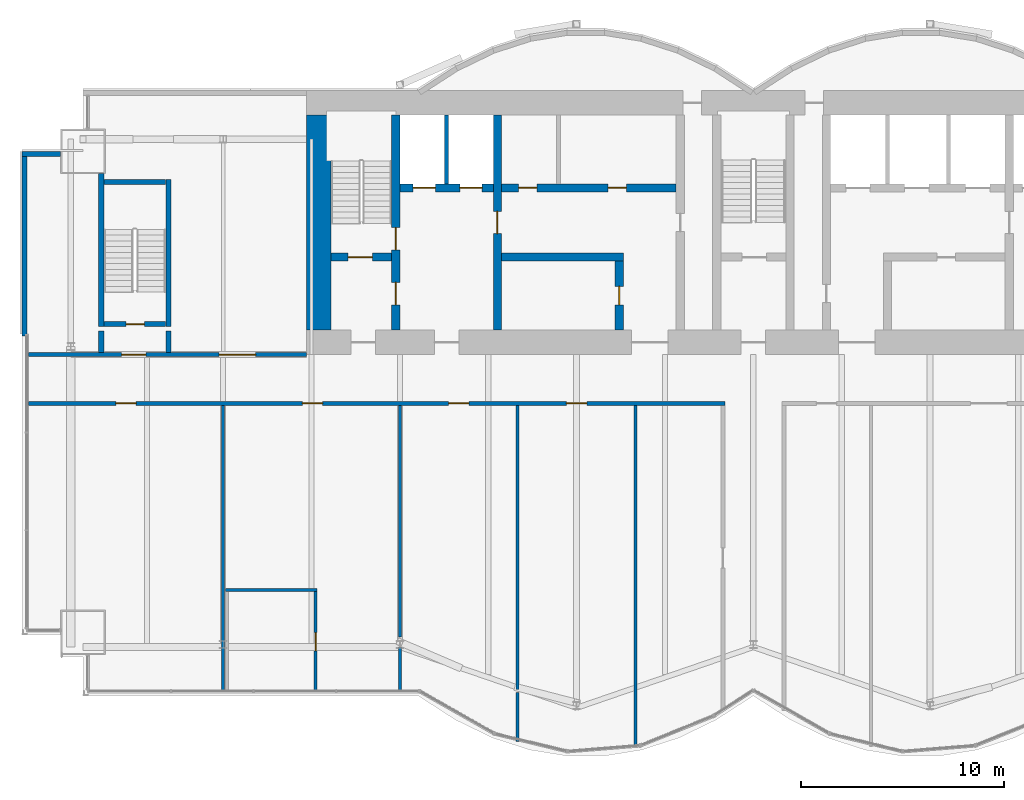
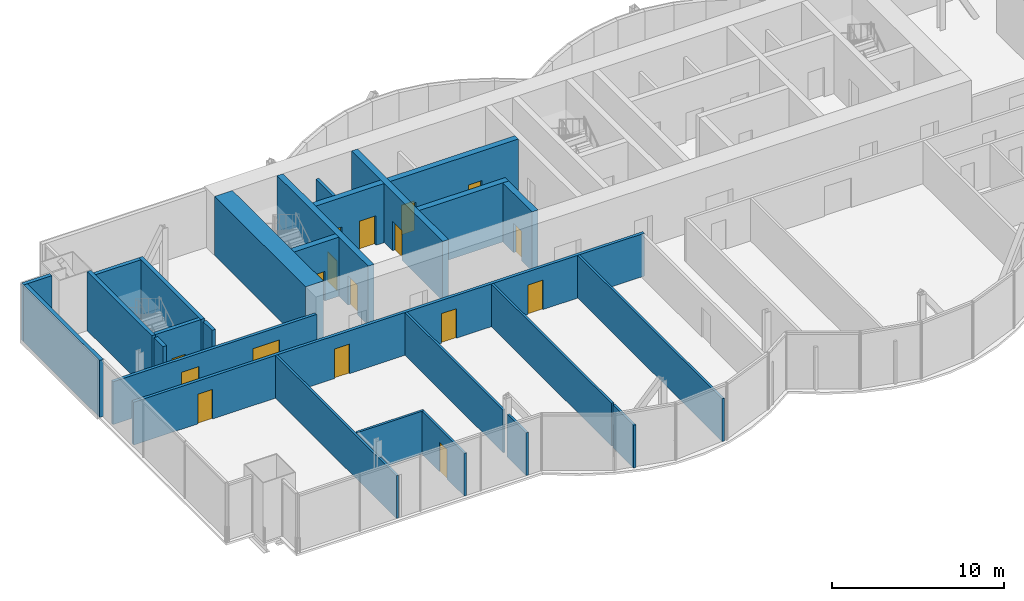
# One storey, part 14 of 20: 26 walls, 17 doors, 17 openings.
"""IFC4 building model written with IfcOpenShell, lengths in metres."""

from ifc_helpers import new_model, si_unit, direction, frame, frame_2d, origin, place, context, subcontext, project, spatial, rectangle, extrude, material, layer, layer_set, layer_usage, type_object, element, fill, save


model = new_model("IFC4")

# Units and contexts
model_context = context("Model", 3, precision=1e-05, world=origin(), true_north=direction((0.0, 1.0)))
body_context = subcontext(model_context, "Body", "Model", "MODEL_VIEW")
ifc_project = project(units=[si_unit("LENGTHUNIT", "METRE"), si_unit("AREAUNIT", "SQUARE_METRE"), si_unit("VOLUMEUNIT", "CUBIC_METRE"), si_unit("PLANEANGLEUNIT", "RADIAN"), si_unit("MASSUNIT", "GRAM", prefix="KILO")], contexts=[model_context])

# Site, building, storey
site_placement = place(None, origin())
site = spatial("IfcSite", under=ifc_project, at=site_placement, CompositionType="ELEMENT")
building_placement = place(site_placement, origin())
building = spatial("IfcBuilding", under=site, at=building_placement, Name="Bicima Exchange Tower", CompositionType="ELEMENT")
storey_placement = place(building_placement, frame((0.0, 0.0, 249.800048828125)))
storey = spatial("IfcBuildingStorey", under=building, at=storey_placement, Name="L56", CompositionType="ELEMENT", Elevation=249.800048828125)

# Wall
ifc_material_1 = material(Name="Gypsum board partition")
ifc_layer_1 = layer(ifc_material_1, 0.199951171875)
ifc_layer_set_1 = layer_set([ifc_layer_1], Name="Gypsum board partition")
wall_type_1 = type_object("IfcWallType", Name="Fire-rated gypsum partition 200 EI120", PredefinedType="PARTITIONING", material=ifc_layer_set_1)
wall_1_placement = place(storey_placement, frame((-15.10009765625, -4.60009765625, 0.0), z_axis=(0.0, 0.0, 1.0), x_axis=(0.0, 1.0, 0.0)))
element("IfcWall", 1, at=wall_1_placement, inside=storey, type_object=wall_type_1, Name="partition wall 9", PredefinedType="PARTITIONING", context=body_context, shape_type="SweptSolid", body=[
    extrude(rectangle(XDim=3.400146484375, YDim=0.199951171875, at=frame_2d((1.7001953125, 0.0))), origin(), (0.0, 0.0, 1.0), 3.039306640625),
])

# Wall, openings, doors
ifc_layer_2 = layer(ifc_material_1, 0.199951171875)
ifc_layer_set_2 = layer_set([ifc_layer_2], Name="Gypsum board partition")
wall_type_2 = type_object("IfcWallType", Name="Fire-rated gypsum partition 200 EI60", PredefinedType="PARTITIONING", material=ifc_layer_set_2)
wall_2_placement = place(storey_placement, frame((-35.679931640625, -15.39990234375, 0.0), z_axis=(0.0, 0.0, 1.0), x_axis=(1.0, 0.0, 0.0)))
wall_2 = element("IfcWall", 2, at=wall_2_placement, inside=storey, type_object=wall_type_2, Name="partition wall 4", PredefinedType="PARTITIONING", context=body_context, shape_type="SweptSolid", body=[
    extrude(rectangle(XDim=34.280029296875, YDim=0.199951171875, at=frame_2d((17.14013671875, 0.0))), origin(), (0.0, 0.0, 1.0), 3.039306640625),
])
opening_1_placement = place(wall_2_placement, frame((4.300048828125, 0.0, 0.0)))
opening_1 = element("IfcOpeningElement", 3, at=opening_1_placement, cuts=wall_2, Name="Opening L56-007", PredefinedType="OPENING", context=body_context, shape_type="SweptSolid", body=[
    extrude(rectangle(XDim=1.0, YDim=2.10009765625, at=frame_2d((0.5, 1.050048828125))), frame((0.0, 0.11181640625, 0.0), z_axis=(0.0, -1.0, 0.0), x_axis=(1.0, 0.0, 0.0)), (0.0, 0.0, 1.0), 0.223876953125),
])
opening_2_placement = place(wall_2_placement, frame((13.47998046875, 0.0, 0.0)))
opening_2 = element("IfcOpeningElement", 4, at=opening_2_placement, cuts=wall_2, Name="Opening L56-008", PredefinedType="OPENING", context=body_context, shape_type="SweptSolid", body=[
    extrude(rectangle(XDim=1.0, YDim=2.10009765625, at=frame_2d((0.5, 1.050048828125))), frame((0.0, 0.11181640625, 0.0), z_axis=(0.0, -1.0, 0.0), x_axis=(1.0, 0.0, 0.0)), (0.0, 0.0, 1.0), 0.223876953125),
])
opening_3_placement = place(wall_2_placement, frame((20.679931640625, 0.0, 0.0)))
opening_3 = element("IfcOpeningElement", 5, at=opening_3_placement, cuts=wall_2, Name="Opening L56-009", PredefinedType="OPENING", context=body_context, shape_type="SweptSolid", body=[
    extrude(rectangle(XDim=1.0, YDim=2.10009765625, at=frame_2d((0.5, 1.050048828125))), frame((0.0, 0.11181640625, 0.0), z_axis=(0.0, -1.0, 0.0), x_axis=(1.0, 0.0, 0.0)), (0.0, 0.0, 1.0), 0.223876953125),
])
opening_4_placement = place(wall_2_placement, frame((26.47998046875, 0.0, 0.0)))
opening_4 = element("IfcOpeningElement", 6, at=opening_4_placement, cuts=wall_2, Name="Opening L56-010", PredefinedType="OPENING", context=body_context, shape_type="SweptSolid", body=[
    extrude(rectangle(XDim=1.0, YDim=2.10009765625, at=frame_2d((0.5, 1.050048828125))), frame((0.0, 0.11181640625, 0.0), z_axis=(0.0, -1.0, 0.0), x_axis=(1.0, 0.0, 0.0)), (0.0, 0.0, 1.0), 0.223876953125),
])
ifc_material_2 = material(Name="Steel fire door leaf", Category="steel")
door_type_1 = type_object("IfcDoorType", Name="Door 1000 swing FD30S", OperationType="SINGLE_SWING_LEFT", PredefinedType="DOOR", material=ifc_material_2)
door_1_placement = place(opening_1_placement, frame((1.0, 0.0, 0.0), z_axis=(0.0, 0.0, 1.0), x_axis=(-1.0, 0.0, 0.0)))
door_1 = element("IfcDoor", 7, at=door_1_placement, inside=storey, type_object=door_type_1, Name="Door", OperationType="SINGLE_SWING_LEFT", OverallHeight=2.10009765625, OverallWidth=1.0, PredefinedType="DOOR", context=body_context, shape_type="SweptSolid", body=[
    extrude(rectangle(XDim=1.0, YDim=2.10009765625, at=frame_2d((0.5, 1.050048828125))), frame((0.0, 0.02490234375, 0.0), z_axis=(0.0, -1.0, 0.0), x_axis=(1.0, 0.0, 0.0)), (0.0, 0.0, 1.0), 0.050048828125),
])
fill(opening_1, door_1)
door_2_placement = place(opening_2_placement, frame((1.0, 0.0, 0.0), z_axis=(0.0, 0.0, 1.0), x_axis=(-1.0, 0.0, 0.0)))
door_2 = element("IfcDoor", 8, at=door_2_placement, inside=storey, type_object=door_type_1, Name="Door", OperationType="SINGLE_SWING_RIGHT", OverallHeight=2.10009765625, OverallWidth=1.0, PredefinedType="DOOR", context=body_context, shape_type="SweptSolid", body=[
    extrude(rectangle(XDim=1.0, YDim=2.10009765625, at=frame_2d((0.5, 1.050048828125))), frame((0.0, 0.02490234375, 0.0), z_axis=(0.0, -1.0, 0.0), x_axis=(1.0, 0.0, 0.0)), (0.0, 0.0, 1.0), 0.050048828125),
])
fill(opening_2, door_2)
door_3_placement = place(opening_3_placement, frame((1.0, 0.0, 0.0), z_axis=(0.0, 0.0, 1.0), x_axis=(-1.0, 0.0, 0.0)))
door_3 = element("IfcDoor", 9, at=door_3_placement, inside=storey, type_object=door_type_1, Name="Door", OperationType="SINGLE_SWING_RIGHT", OverallHeight=2.10009765625, OverallWidth=1.0, PredefinedType="DOOR", context=body_context, shape_type="SweptSolid", body=[
    extrude(rectangle(XDim=1.0, YDim=2.10009765625, at=frame_2d((0.5, 1.050048828125))), frame((0.0, 0.02490234375, 0.0), z_axis=(0.0, -1.0, 0.0), x_axis=(1.0, 0.0, 0.0)), (0.0, 0.0, 1.0), 0.050048828125),
])
fill(opening_3, door_3)
door_4_placement = place(opening_4_placement, frame((1.0, 0.0, 0.0), z_axis=(0.0, 0.0, 1.0), x_axis=(-1.0, 0.0, 0.0)))
door_4 = element("IfcDoor", 10, at=door_4_placement, inside=storey, type_object=door_type_1, Name="Door", OperationType="SINGLE_SWING_LEFT", OverallHeight=2.10009765625, OverallWidth=1.0, PredefinedType="DOOR", context=body_context, shape_type="SweptSolid", body=[
    extrude(rectangle(XDim=1.0, YDim=2.10009765625, at=frame_2d((0.5, 1.050048828125))), frame((0.0, 0.02490234375, 0.0), z_axis=(0.0, -1.0, 0.0), x_axis=(1.0, 0.0, 0.0)), (0.0, 0.0, 1.0), 0.050048828125),
])
fill(opening_4, door_4)

wall_3_placement = place(storey_placement, frame((-35.679931640625, -13.0, 0.0), z_axis=(0.0, 0.0, 1.0), x_axis=(1.0, 0.0, 0.0)))
wall_3 = element("IfcWall", 11, at=wall_3_placement, inside=storey, type_object=wall_type_2, Name="partition wall 6", PredefinedType="PARTITIONING", context=body_context, shape_type="SweptSolid", body=[
    extrude(rectangle(XDim=13.679931640625, YDim=0.199951171875, at=frame_2d((6.83984375, 0.0))), origin(), (0.0, 0.0, 1.0), 3.039306640625),
])
opening_5_placement = place(wall_3_placement, frame((4.580078125, 0.0, 0.0)))
opening_5 = element("IfcOpeningElement", 12, at=opening_5_placement, cuts=wall_3, Name="Opening L56-001", PredefinedType="OPENING", context=body_context, shape_type="SweptSolid", body=[
    extrude(rectangle(XDim=1.199951171875, YDim=2.10009765625, at=frame_2d((0.60009765625, 1.050048828125))), frame((0.0, 0.11181640625, 0.0), z_axis=(0.0, -1.0, 0.0), x_axis=(1.0, 0.0, 0.0)), (0.0, 0.0, 1.0), 0.223876953125),
])
opening_6_placement = place(wall_3_placement, frame((9.3798828125, 0.0, 0.0)))
opening_6 = element("IfcOpeningElement", 13, at=opening_6_placement, cuts=wall_3, Name="Opening L56-005", PredefinedType="OPENING", context=body_context, shape_type="SweptSolid", body=[
    extrude(rectangle(XDim=1.800048828125, YDim=2.10009765625, at=frame_2d((0.89990234375, 1.050048828125))), frame((0.0, 0.11181640625, 0.0), z_axis=(0.0, -1.0, 0.0), x_axis=(1.0, 0.0, 0.0)), (0.0, 0.0, 1.0), 0.223876953125),
])
door_type_2 = type_object("IfcDoorType", Name="Door 1200 swing FD30S", OperationType="SINGLE_SWING_LEFT", PredefinedType="DOOR", material=ifc_material_2)
door_5_placement = place(opening_5_placement, origin())
door_5 = element("IfcDoor", 14, at=door_5_placement, inside=storey, type_object=door_type_2, Name="Door", OperationType="SINGLE_SWING_LEFT", OverallHeight=2.10009765625, OverallWidth=1.199951171875, PredefinedType="DOOR", context=body_context, shape_type="SweptSolid", body=[
    extrude(rectangle(XDim=1.199951171875, YDim=2.10009765625, at=frame_2d((0.60009765625, 1.050048828125))), frame((0.0, 0.02490234375, 0.0), z_axis=(0.0, -1.0, 0.0), x_axis=(1.0, 0.0, 0.0)), (0.0, 0.0, 1.0), 0.050048828125),
])
fill(opening_5, door_5)
door_type_3 = type_object("IfcDoorType", Name="Door 1800 double swing FD30S", OperationType="DOUBLE_DOOR_SINGLE_SWING", PredefinedType="DOOR", material=ifc_material_2)
door_6_placement = place(opening_6_placement, origin())
door_6 = element("IfcDoor", 15, at=door_6_placement, inside=storey, type_object=door_type_3, Name="Door", OperationType="SINGLE_SWING_LEFT", OverallHeight=2.10009765625, OverallWidth=1.800048828125, PredefinedType="DOOR", context=body_context, shape_type="SweptSolid", body=[
    extrude(rectangle(XDim=1.800048828125, YDim=2.10009765625, at=frame_2d((0.89990234375, 1.050048828125))), frame((0.0, 0.02490234375, 0.0), z_axis=(0.0, -1.0, 0.0), x_axis=(1.0, 0.0, 0.0)), (0.0, 0.0, 1.0), 0.050048828125),
])
fill(opening_6, door_6)

# Walls
ifc_layer_3 = layer(ifc_material_1, 0.14990234375)
ifc_layer_set_3 = layer_set([ifc_layer_3], Name="Gypsum board partition")
wall_type_3 = type_object("IfcWallType", Name="Gypsum partition 150", PredefinedType="PARTITIONING", material=ifc_layer_set_3)
wall_4_placement = place(storey_placement, frame((-25.97509765625, -24.590087890625, 0.0), z_axis=(0.0, 0.0, 1.0), x_axis=(1.0, 0.0, 0.0)))
element("IfcWall", 16, at=wall_4_placement, inside=storey, type_object=wall_type_3, Name="partition wall 1", PredefinedType="PARTITIONING", context=body_context, shape_type="SweptSolid", body=[
    extrude(rectangle(XDim=4.5, YDim=0.14990234375, at=frame_2d((2.25, 0.0))), origin(), (0.0, 0.0, 1.0), 3.039306640625),
])
wall_5_placement = place(storey_placement, frame((-26.10009765625, -29.590087890625, 0.0), z_axis=(0.0, 0.0, 1.0), x_axis=(0.0, 1.0, 0.0)))
element("IfcWall", 17, at=wall_5_placement, inside=storey, type_object=wall_type_3, Name="partition wall 14", PredefinedType="PARTITIONING", context=body_context, shape_type="SweptSolid", body=[
    extrude(rectangle(XDim=14.090087890625, YDim=0.14990234375, at=frame_2d((7.044921875, 0.0))), origin(), (0.0, 0.0, 1.0), 3.039306640625),
])

# Wall, opening, door
wall_6_placement = place(storey_placement, frame((-21.550048828125, -29.590087890625, 0.0), z_axis=(0.0, 0.0, 1.0), x_axis=(0.0, 1.0, 0.0)))
wall_6 = element("IfcWall", 18, at=wall_6_placement, inside=storey, type_object=wall_type_3, Name="partition wall 16", PredefinedType="PARTITIONING", context=body_context, shape_type="SweptSolid", body=[
    extrude(rectangle(XDim=4.925048828125, YDim=0.14990234375, at=frame_2d((2.46240234375, 0.0))), origin(), (0.0, 0.0, 1.0), 3.039306640625),
])
opening_7_placement = place(wall_6_placement, frame((2.0, 0.0, 0.0)))
opening_7 = element("IfcOpeningElement", 19, at=opening_7_placement, cuts=wall_6, Name="Opening L56-019", PredefinedType="OPENING", context=body_context, shape_type="SweptSolid", body=[
    extrude(rectangle(XDim=0.89990234375, YDim=2.10009765625, at=frame_2d((0.449951171875, 1.050048828125))), frame((0.0, 0.0869140625, 0.0), z_axis=(0.0, -1.0, 0.0), x_axis=(1.0, 0.0, 0.0)), (0.0, 0.0, 1.0), 0.173828125),
])
ifc_material_3 = material(Name="Timber door leaf", Category="wood")
door_type_4 = type_object("IfcDoorType", Name="Door 900 swing", OperationType="SINGLE_SWING_LEFT", PredefinedType="DOOR", material=ifc_material_3)
door_7_placement = place(opening_7_placement, origin())
door_7 = element("IfcDoor", 20, at=door_7_placement, inside=storey, type_object=door_type_4, Name="Door", OperationType="SINGLE_SWING_LEFT", OverallHeight=2.10009765625, OverallWidth=0.89990234375, PredefinedType="DOOR", context=body_context, shape_type="SweptSolid", body=[
    extrude(rectangle(XDim=0.89990234375, YDim=2.10009765625, at=frame_2d((0.449951171875, 1.050048828125))), frame((0.0, 0.02490234375, 0.0), z_axis=(0.0, -1.0, 0.0), x_axis=(1.0, 0.0, 0.0)), (0.0, 0.0, 1.0), 0.050048828125),
])
fill(opening_7, door_7)

# Walls
wall_7_placement = place(storey_placement, frame((-17.39990234375, -29.590087890625, 0.0), z_axis=(0.0, 0.0, 1.0), x_axis=(0.0, 1.0, 0.0)))
element("IfcWall", 21, at=wall_7_placement, inside=storey, type_object=wall_type_3, Name="partition wall 17", PredefinedType="PARTITIONING", context=body_context, shape_type="SweptSolid", body=[
    extrude(rectangle(XDim=2.188232421875, YDim=0.14990234375, at=frame_2d((1.09423828125, 0.0))), origin(), (0.0, 0.0, 1.0), 3.039306640625),
])
wall_8_placement = place(storey_placement, frame((-17.39990234375, -26.91015625, 0.0), z_axis=(0.0, 0.0, 1.0), x_axis=(0.0, 1.0, 0.0)))
element("IfcWall", 22, at=wall_8_placement, inside=storey, type_object=wall_type_3, Name="partition wall 18", PredefinedType="PARTITIONING", context=body_context, shape_type="SweptSolid", body=[
    extrude(rectangle(XDim=11.41015625, YDim=0.14990234375, at=frame_2d((5.705078125, 0.0))), origin(), (0.0, 0.0, 1.0), 3.039306640625),
])
wall_9_placement = place(storey_placement, frame((-11.60009765625, -32.050048828125, 0.0), z_axis=(0.0, 0.0, 1.0), x_axis=(0.0, 1.0, 0.0)))
element("IfcWall", 23, at=wall_9_placement, inside=storey, type_object=wall_type_3, Name="partition wall 19", PredefinedType="PARTITIONING", context=body_context, shape_type="SweptSolid", body=[
    extrude(rectangle(XDim=2.420166015625, YDim=0.14990234375, at=frame_2d((1.2099609375, 0.0))), origin(), (0.0, 0.0, 1.0), 3.039306640625),
])
wall_10_placement = place(storey_placement, frame((-11.60009765625, -29.487060546875, 0.0), z_axis=(0.0, 0.0, 1.0), x_axis=(0.0, 1.0, 0.0)))
element("IfcWall", 24, at=wall_10_placement, inside=storey, type_object=wall_type_3, Name="partition wall 20", PredefinedType="PARTITIONING", context=body_context, shape_type="SweptSolid", body=[
    extrude(rectangle(XDim=13.987060546875, YDim=0.14990234375, at=frame_2d((6.99365234375, 0.0))), origin(), (0.0, 0.0, 1.0), 3.039306640625),
])
wall_11_placement = place(storey_placement, frame((-5.800048828125, -32.300048828125, 0.0), z_axis=(0.0, 0.0, 1.0), x_axis=(0.0, 1.0, 0.0)))
element("IfcWall", 25, at=wall_11_placement, inside=storey, type_object=wall_type_3, Name="partition wall 21", PredefinedType="PARTITIONING", context=body_context, shape_type="SweptSolid", body=[
    extrude(rectangle(XDim=16.800048828125, YDim=0.14990234375, at=frame_2d((8.39990234375, 0.0))), origin(), (0.0, 0.0, 1.0), 3.039306640625),
])
ifc_material_4 = material(Name="Concrete C40/50", Category="concrete")
ifc_layer_4 = layer(ifc_material_4, 1.199951171875)
ifc_layer_set_4 = layer_set([ifc_layer_4], Name="Concrete C40/50")
wall_type_4 = type_object("IfcWallType", Name="RC core wall 1200 C40/50", PredefinedType="SHEAR", material=ifc_layer_set_4)
wall_12_placement = place(storey_placement, frame((-21.39990234375, -11.800048828125, 0.0), z_axis=(0.0, 0.0, 1.0), x_axis=(0.0, 1.0, 0.0)))
element("IfcWall", 26, at=wall_12_placement, inside=storey, type_object=wall_type_4, Name="Core wall west", PredefinedType="SHEAR", context=body_context, shape_type="SweptSolid", body=[
    extrude(rectangle(XDim=10.60009765625, YDim=1.199951171875, at=frame_2d((5.300048828125, 0.0))), origin(), (0.0, 0.0, 1.0), 4.199951171875),
])
ifc_material_5 = material(Name="Concrete C50/60", Category="concrete")
ifc_layer_5 = layer(ifc_material_5, 0.25)
ifc_layer_set_5 = layer_set([ifc_layer_5], Name="Concrete C50/60")
wall_type_5 = type_object("IfcWallType", Name="RC core wall 250 C50/60", PredefinedType="SHEAR", material=ifc_layer_set_5)
for number, where, z_axis, x_axis, name in (
    (27, (-32.10009765625, -12.89990234375, 0.0), (0.0, 0.0, 1.0), (0.0, 1.0, 0.0), "stair wall 12"),
    (28, (-28.800048828125, -12.89990234375, 0.0), (0.0, 0.0, 1.0), (0.0, 1.0, 0.0), "stair wall 13"),
):
    element("IfcWall", number, at=place(storey_placement, frame(where, z_axis=z_axis, x_axis=x_axis)), inside=storey, type_object=wall_type_5, Name=name, PredefinedType="SHEAR", context=body_context, shape_type="SweptSolid", body=[
        extrude(rectangle(XDim=1.0498046875, YDim=0.25, at=frame_2d((0.52490234375, 0.0))), origin(), (0.0, 0.0, 1.0), 4.199951171875),
    ])
ifc_layer_6 = layer(ifc_material_4, 0.39990234375)
ifc_layer_set_6 = layer_set([ifc_layer_6], Name="Concrete C40/50")
wall_type_6 = type_object("IfcWallType", Name="RC core wall 400 C40/50", PredefinedType="SHEAR", material=ifc_layer_set_6)
wall_13_placement = place(storey_placement, frame((-12.39990234375, -8.199951171875, 0.0), z_axis=(0.0, 0.0, 1.0), x_axis=(1.0, 0.0, 0.0)))
element("IfcWall", 29, at=wall_13_placement, inside=storey, type_object=wall_type_6, Name="shear wall 2", PredefinedType="SHEAR", context=body_context, shape_type="SweptSolid", body=[
    extrude(rectangle(XDim=6.0, YDim=0.39990234375, at=frame_2d((3.0, 0.0))), origin(), (0.0, 0.0, 1.0), 4.199951171875),
])

# Wall, openings, doors
wall_14_placement = place(storey_placement, frame((-17.39990234375, -4.800048828125, 0.0), z_axis=(0.0, 0.0, 1.0), x_axis=(1.0, 0.0, 0.0)))
wall_14 = element("IfcWall", 30, at=wall_14_placement, inside=storey, type_object=wall_type_6, Name="shear wall 6", PredefinedType="SHEAR", context=body_context, shape_type="SweptSolid", body=[
    extrude(rectangle(XDim=13.599853515625, YDim=0.39990234375, at=frame_2d((6.7998046875, 0.0))), origin(), (0.0, 0.0, 1.0), 4.199951171875),
])
opening_8_placement = place(wall_14_placement, frame((0.64990234375, 0.0, 0.0)))
opening_8 = element("IfcOpeningElement", 31, at=opening_8_placement, cuts=wall_14, Name="Opening LD-FF1-L56", PredefinedType="OPENING", context=body_context, shape_type="SweptSolid", body=[
    extrude(rectangle(XDim=1.10009765625, YDim=2.10009765625, at=frame_2d((0.550048828125, 1.050048828125))), frame((0.0, 0.2119140625, 0.0), z_axis=(0.0, -1.0, 0.0), x_axis=(1.0, 0.0, 0.0)), (0.0, 0.0, 1.0), 0.423828125),
])
opening_9_placement = place(wall_14_placement, frame((2.949951171875, 0.0, 0.0)))
opening_9 = element("IfcOpeningElement", 32, at=opening_9_placement, cuts=wall_14, Name="Opening LD-FF3-L56", PredefinedType="OPENING", context=body_context, shape_type="SweptSolid", body=[
    extrude(rectangle(XDim=1.10009765625, YDim=2.10009765625, at=frame_2d((0.550048828125, 1.050048828125))), frame((0.0, 0.2119140625, 0.0), z_axis=(0.0, -1.0, 0.0), x_axis=(1.0, 0.0, 0.0)), (0.0, 0.0, 1.0), 0.423828125),
])
opening_10_placement = place(wall_14_placement, frame((5.85009765625, 0.0, 0.0)))
opening_10 = element("IfcOpeningElement", 33, at=opening_10_placement, cuts=wall_14, Name="Opening L56-C12", PredefinedType="OPENING", context=body_context, shape_type="SweptSolid", body=[
    extrude(rectangle(XDim=0.89990234375, YDim=2.10009765625, at=frame_2d((0.449951171875, 1.050048828125))), frame((0.0, 0.2119140625, 0.0), z_axis=(0.0, -1.0, 0.0), x_axis=(1.0, 0.0, 0.0)), (0.0, 0.0, 1.0), 0.423828125),
])
opening_11_placement = place(wall_14_placement, frame((10.25, 0.0, 0.0)))
opening_11 = element("IfcOpeningElement", 34, at=opening_11_placement, cuts=wall_14, Name="Opening L56-C13", PredefinedType="OPENING", context=body_context, shape_type="SweptSolid", body=[
    extrude(rectangle(XDim=0.89990234375, YDim=2.10009765625, at=frame_2d((0.449951171875, 1.050048828125))), frame((0.0, 0.2119140625, 0.0), z_axis=(0.0, -1.0, 0.0), x_axis=(1.0, 0.0, 0.0)), (0.0, 0.0, 1.0), 0.423828125),
])
door_type_5 = type_object("IfcDoorType", Name="Door 900 swing FD30S", OperationType="SINGLE_SWING_LEFT", PredefinedType="DOOR", material=ifc_material_2)
door_8_placement = place(opening_10_placement, origin())
door_8 = element("IfcDoor", 35, at=door_8_placement, inside=storey, type_object=door_type_5, Name="Core door", OperationType="SINGLE_SWING_RIGHT", OverallHeight=2.10009765625, OverallWidth=0.89990234375, PredefinedType="DOOR", context=body_context, shape_type="SweptSolid", body=[
    extrude(rectangle(XDim=0.89990234375, YDim=2.10009765625, at=frame_2d((0.449951171875, 1.050048828125))), frame((0.0, 0.02490234375, 0.0), z_axis=(0.0, -1.0, 0.0), x_axis=(1.0, 0.0, 0.0)), (0.0, 0.0, 1.0), 0.050048828125),
])
fill(opening_10, door_8)
door_9_placement = place(opening_11_placement, origin())
door_9 = element("IfcDoor", 36, at=door_9_placement, inside=storey, type_object=door_type_5, Name="Core door", OperationType="SINGLE_SWING_LEFT", OverallHeight=2.10009765625, OverallWidth=0.89990234375, PredefinedType="DOOR", context=body_context, shape_type="SweptSolid", body=[
    extrude(rectangle(XDim=0.89990234375, YDim=2.10009765625, at=frame_2d((0.449951171875, 1.050048828125))), frame((0.0, 0.02490234375, 0.0), z_axis=(0.0, -1.0, 0.0), x_axis=(1.0, 0.0, 0.0)), (0.0, 0.0, 1.0), 0.050048828125),
])
fill(opening_11, door_9)
ifc_material_6 = material(Name="Stainless steel", Category="steel")
door_type_6 = type_object("IfcDoorType", Name="Lift landing door 1100 sliding", OperationType="DOUBLE_DOOR_SLIDING", PredefinedType="DOOR", material=ifc_material_6)
door_10_placement = place(opening_8_placement, origin())
door_10 = element("IfcDoor", 37, at=door_10_placement, inside=storey, type_object=door_type_6, Name="Lift landing door FF1", OperationType="DOUBLE_DOOR_SLIDING", OverallHeight=2.10009765625, OverallWidth=1.10009765625, PredefinedType="DOOR", context=body_context, shape_type="SweptSolid", body=[
    extrude(rectangle(XDim=1.10009765625, YDim=2.10009765625, at=frame_2d((0.550048828125, 1.050048828125))), frame((0.0, 0.02490234375, 0.0), z_axis=(0.0, -1.0, 0.0), x_axis=(1.0, 0.0, 0.0)), (0.0, 0.0, 1.0), 0.050048828125),
])
fill(opening_8, door_10)
door_11_placement = place(opening_9_placement, origin())
door_11 = element("IfcDoor", 38, at=door_11_placement, inside=storey, type_object=door_type_6, Name="Lift landing door FF3", OperationType="DOUBLE_DOOR_SLIDING", OverallHeight=2.10009765625, OverallWidth=1.10009765625, PredefinedType="DOOR", context=body_context, shape_type="SweptSolid", body=[
    extrude(rectangle(XDim=1.10009765625, YDim=2.10009765625, at=frame_2d((0.550048828125, 1.050048828125))), frame((0.0, 0.02490234375, 0.0), z_axis=(0.0, -1.0, 0.0), x_axis=(1.0, 0.0, 0.0)), (0.0, 0.0, 1.0), 0.050048828125),
])
fill(opening_9, door_11)

# Wall, opening, door
wall_15_placement = place(storey_placement, frame((-12.60009765625, -11.800048828125, 0.0), z_axis=(0.0, 0.0, 1.0), x_axis=(0.0, 1.0, 0.0)))
wall_15 = element("IfcWall", 39, at=wall_15_placement, inside=storey, type_object=wall_type_6, Name="shear wall 10", PredefinedType="SHEAR", context=body_context, shape_type="SweptSolid", body=[
    extrude(rectangle(XDim=10.60009765625, YDim=0.39990234375, at=frame_2d((5.300048828125, 0.0))), origin(), (0.0, 0.0, 1.0), 4.199951171875),
])
opening_12_placement = place(wall_15_placement, frame((4.75, 0.0, 0.0)))
opening_12 = element("IfcOpeningElement", 40, at=opening_12_placement, cuts=wall_15, Name="Opening L56-C07", PredefinedType="OPENING", context=body_context, shape_type="SweptSolid", body=[
    extrude(rectangle(XDim=1.10009765625, YDim=2.10009765625, at=frame_2d((0.550048828125, 1.050048828125))), frame((0.0, 0.2119140625, 0.0), z_axis=(0.0, -1.0, 0.0), x_axis=(1.0, 0.0, 0.0)), (0.0, 0.0, 1.0), 0.423828125),
])
door_type_7 = type_object("IfcDoorType", Name="Door 1100 swing FD60S", OperationType="SINGLE_SWING_LEFT", PredefinedType="DOOR", material=ifc_material_2)
door_12_placement = place(opening_12_placement, origin())
door_12 = element("IfcDoor", 41, at=door_12_placement, inside=storey, type_object=door_type_7, Name="Core door", OperationType="SINGLE_SWING_LEFT", OverallHeight=2.10009765625, OverallWidth=1.10009765625, PredefinedType="DOOR", context=body_context, shape_type="SweptSolid", body=[
    extrude(rectangle(XDim=1.10009765625, YDim=2.10009765625, at=frame_2d((0.550048828125, 1.050048828125))), frame((0.0, 0.02490234375, 0.0), z_axis=(0.0, -1.0, 0.0), x_axis=(1.0, 0.0, 0.0)), (0.0, 0.0, 1.0), 0.050048828125),
])
fill(opening_12, door_12)

wall_16_placement = place(storey_placement, frame((-6.60009765625, -11.800048828125, 0.0), z_axis=(0.0, 0.0, 1.0), x_axis=(0.0, 1.0, 0.0)))
wall_16 = element("IfcWall", 42, at=wall_16_placement, inside=storey, type_object=wall_type_6, Name="shear wall 12", PredefinedType="SHEAR", context=body_context, shape_type="SweptSolid", body=[
    extrude(rectangle(XDim=3.400146484375, YDim=0.39990234375, at=frame_2d((1.7001953125, 0.0))), origin(), (0.0, 0.0, 1.0), 4.199951171875),
])
opening_13_placement = place(wall_16_placement, frame((1.25, 0.0, 0.0)))
opening_13 = element("IfcOpeningElement", 43, at=opening_13_placement, cuts=wall_16, Name="Opening L56-C14", PredefinedType="OPENING", context=body_context, shape_type="SweptSolid", body=[
    extrude(rectangle(XDim=0.89990234375, YDim=2.10009765625, at=frame_2d((0.449951171875, 1.050048828125))), frame((0.0, 0.2119140625, 0.0), z_axis=(0.0, -1.0, 0.0), x_axis=(1.0, 0.0, 0.0)), (0.0, 0.0, 1.0), 0.423828125),
])
door_13_placement = place(opening_13_placement, origin())
door_13 = element("IfcDoor", 44, at=door_13_placement, inside=storey, type_object=door_type_5, Name="Core door", OperationType="SINGLE_SWING_RIGHT", OverallHeight=2.10009765625, OverallWidth=0.89990234375, PredefinedType="DOOR", context=body_context, shape_type="SweptSolid", body=[
    extrude(rectangle(XDim=0.89990234375, YDim=2.10009765625, at=frame_2d((0.449951171875, 1.050048828125))), frame((0.0, 0.02490234375, 0.0), z_axis=(0.0, -1.0, 0.0), x_axis=(1.0, 0.0, 0.0)), (0.0, 0.0, 1.0), 0.050048828125),
])
fill(opening_13, door_13)

ifc_layer_7 = layer(ifc_material_5, 0.39990234375)
ifc_layer_set_7 = layer_set([ifc_layer_7], Name="Concrete C50/60")
wall_type_7 = type_object("IfcWallType", Name="RC core wall 400 C50/60", PredefinedType="SHEAR", material=ifc_layer_set_7)
wall_17_placement = place(storey_placement, frame((-20.800048828125, -8.199951171875, 0.0), z_axis=(0.0, 0.0, 1.0), x_axis=(1.0, 0.0, 0.0)))
wall_17 = element("IfcWall", 45, at=wall_17_placement, inside=storey, type_object=wall_type_7, Name="stair wall 1", PredefinedType="SHEAR", context=body_context, shape_type="SweptSolid", body=[
    extrude(rectangle(XDim=3.0, YDim=0.39990234375, at=frame_2d((1.5, 0.0))), origin(), (0.0, 0.0, 1.0), 4.199951171875),
])
opening_14_placement = place(wall_17_placement, frame((0.85009765625, 0.0, 0.0)))
opening_14 = element("IfcOpeningElement", 46, at=opening_14_placement, cuts=wall_17, Name="Opening L56-C01", PredefinedType="OPENING", context=body_context, shape_type="SweptSolid", body=[
    extrude(rectangle(XDim=1.199951171875, YDim=2.10009765625, at=frame_2d((0.60009765625, 1.050048828125))), frame((0.0, 0.2119140625, 0.0), z_axis=(0.0, -1.0, 0.0), x_axis=(1.0, 0.0, 0.0)), (0.0, 0.0, 1.0), 0.423828125),
])
door_type_8 = type_object("IfcDoorType", Name="Door 1200 swing FD60S", OperationType="SINGLE_SWING_LEFT", PredefinedType="DOOR", material=ifc_material_2)
door_14_placement = place(opening_14_placement, origin())
door_14 = element("IfcDoor", 47, at=door_14_placement, inside=storey, type_object=door_type_8, Name="Core door", OperationType="SINGLE_SWING_LEFT", OverallHeight=2.10009765625, OverallWidth=1.199951171875, PredefinedType="DOOR", context=body_context, shape_type="SweptSolid", body=[
    extrude(rectangle(XDim=1.199951171875, YDim=2.10009765625, at=frame_2d((0.60009765625, 1.050048828125))), frame((0.0, 0.02490234375, 0.0), z_axis=(0.0, -1.0, 0.0), x_axis=(1.0, 0.0, 0.0)), (0.0, 0.0, 1.0), 0.050048828125),
])
fill(opening_14, door_14)

# Wall, openings, doors
wall_18_placement = place(storey_placement, frame((-17.60009765625, -11.800048828125, 0.0), z_axis=(0.0, 0.0, 1.0), x_axis=(0.0, 1.0, 0.0)))
wall_18 = element("IfcWall", 48, at=wall_18_placement, inside=storey, type_object=wall_type_7, Name="stair wall 8", PredefinedType="SHEAR", context=body_context, shape_type="SweptSolid", body=[
    extrude(rectangle(XDim=10.60009765625, YDim=0.39990234375, at=frame_2d((5.300048828125, 0.0))), origin(), (0.0, 0.0, 1.0), 4.199951171875),
])
opening_15_placement = place(wall_18_placement, frame((1.25, 0.0, 0.0)))
opening_15 = element("IfcOpeningElement", 49, at=opening_15_placement, cuts=wall_18, Name="Opening L56-C02", PredefinedType="OPENING", context=body_context, shape_type="SweptSolid", body=[
    extrude(rectangle(XDim=1.10009765625, YDim=2.10009765625, at=frame_2d((0.550048828125, 1.050048828125))), frame((0.0, 0.2119140625, 0.0), z_axis=(0.0, -1.0, 0.0), x_axis=(1.0, 0.0, 0.0)), (0.0, 0.0, 1.0), 0.423828125),
])
opening_16_placement = place(wall_18_placement, frame((3.949951171875, 0.0, 0.0)))
opening_16 = element("IfcOpeningElement", 50, at=opening_16_placement, cuts=wall_18, Name="Opening L56-C06", PredefinedType="OPENING", context=body_context, shape_type="SweptSolid", body=[
    extrude(rectangle(XDim=1.10009765625, YDim=2.10009765625, at=frame_2d((0.550048828125, 1.050048828125))), frame((0.0, 0.2119140625, 0.0), z_axis=(0.0, -1.0, 0.0), x_axis=(1.0, 0.0, 0.0)), (0.0, 0.0, 1.0), 0.423828125),
])
door_15_placement = place(opening_15_placement, frame((1.10009765625, 0.0, 0.0), z_axis=(0.0, 0.0, 1.0), x_axis=(-1.0, 0.0, 0.0)))
door_15 = element("IfcDoor", 51, at=door_15_placement, inside=storey, type_object=door_type_7, Name="Core door", OperationType="SINGLE_SWING_LEFT", OverallHeight=2.10009765625, OverallWidth=1.10009765625, PredefinedType="DOOR", context=body_context, shape_type="SweptSolid", body=[
    extrude(rectangle(XDim=1.10009765625, YDim=2.10009765625, at=frame_2d((0.550048828125, 1.050048828125))), frame((0.0, 0.02490234375, 0.0), z_axis=(0.0, -1.0, 0.0), x_axis=(1.0, 0.0, 0.0)), (0.0, 0.0, 1.0), 0.050048828125),
])
fill(opening_15, door_15)
door_16_placement = place(opening_16_placement, frame((1.10009765625, 0.0, 0.0), z_axis=(0.0, 0.0, 1.0), x_axis=(-1.0, 0.0, 0.0)))
door_16 = element("IfcDoor", 52, at=door_16_placement, inside=storey, type_object=door_type_7, Name="Core door", OperationType="SINGLE_SWING_LEFT", OverallHeight=2.10009765625, OverallWidth=1.10009765625, PredefinedType="DOOR", context=body_context, shape_type="SweptSolid", body=[
    extrude(rectangle(XDim=1.10009765625, YDim=2.10009765625, at=frame_2d((0.550048828125, 1.050048828125))), frame((0.0, 0.02490234375, 0.0), z_axis=(0.0, -1.0, 0.0), x_axis=(1.0, 0.0, 0.0)), (0.0, 0.0, 1.0), 0.050048828125),
])
fill(opening_16, door_16)

# Walls
ifc_layer_8 = layer(ifc_material_5, 0.25)
ifc_layer_set_8 = layer_set([ifc_layer_8], Name="Concrete C50/60")
wall_type_8 = type_object("IfcWallType", Name="RC stair enclosure wall 250 C50/60", PredefinedType="SHEAR", material=ifc_layer_set_8)
wall_19_placement = place(storey_placement, frame((-32.10009765625, -11.625, 0.0), z_axis=(0.0, 0.0, 1.0), x_axis=(0.0, 1.0, 0.0)))
element("IfcWall", 53, at=wall_19_placement, inside=storey, type_object=wall_type_8, Name="West end exit stair wall W", PredefinedType="SHEAR", context=body_context, shape_type="SweptSolid", body=[
    extrude(rectangle(XDim=7.52490234375, YDim=0.25, at=frame_2d((3.762451171875, 0.0))), origin(), (0.0, 0.0, 1.0), 4.199951171875),
])
wall_20_placement = place(storey_placement, frame((-28.800048828125, -11.625, 0.0), z_axis=(0.0, 0.0, 1.0), x_axis=(0.0, 1.0, 0.0)))
element("IfcWall", 54, at=wall_20_placement, inside=storey, type_object=wall_type_8, Name="West end exit stair wall E", PredefinedType="SHEAR", context=body_context, shape_type="SweptSolid", body=[
    extrude(rectangle(XDim=7.25, YDim=0.25, at=frame_2d((3.625, 0.0))), origin(), (0.0, 0.0, 1.0), 4.199951171875),
])

# Wall, opening, door
wall_21_placement = place(storey_placement, frame((-31.97509765625, -11.5, 0.0), z_axis=(0.0, 0.0, 1.0), x_axis=(1.0, 0.0, 0.0)))
wall_21 = element("IfcWall", 55, at=wall_21_placement, inside=storey, type_object=wall_type_8, Name="West end exit stair wall S", PredefinedType="SHEAR", context=body_context, shape_type="SweptSolid", body=[
    extrude(rectangle(XDim=3.050048828125, YDim=0.25, at=frame_2d((1.52490234375, 0.0))), origin(), (0.0, 0.0, 1.0), 4.199951171875),
])
opening_17_placement = place(wall_21_placement, frame((1.10009765625, 0.0, 0.0)))
opening_17 = element("IfcOpeningElement", 56, at=opening_17_placement, cuts=wall_21, Name="Opening L56-002", PredefinedType="OPENING", context=body_context, shape_type="SweptSolid", body=[
    extrude(rectangle(XDim=0.89990234375, YDim=2.10009765625, at=frame_2d((0.449951171875, 1.050048828125))), frame((0.0, 0.136962890625, 0.0), z_axis=(0.0, -1.0, 0.0), x_axis=(1.0, 0.0, 0.0)), (0.0, 0.0, 1.0), 0.27392578125),
])
door_type_9 = type_object("IfcDoorType", Name="Door 900 swing FD60S", OperationType="SINGLE_SWING_LEFT", PredefinedType="DOOR", material=ifc_material_2)
door_17_placement = place(opening_17_placement, origin())
door_17 = element("IfcDoor", 57, at=door_17_placement, inside=storey, type_object=door_type_9, Name="Door", OperationType="SINGLE_SWING_LEFT", OverallHeight=2.10009765625, OverallWidth=0.89990234375, PredefinedType="DOOR", context=body_context, shape_type="SweptSolid", body=[
    extrude(rectangle(XDim=0.89990234375, YDim=2.10009765625, at=frame_2d((0.449951171875, 1.050048828125))), frame((0.0, 0.02490234375, 0.0), z_axis=(0.0, -1.0, 0.0), x_axis=(1.0, 0.0, 0.0)), (0.0, 0.0, 1.0), 0.050048828125),
])
fill(opening_17, door_17)

# Walls
wall_22_placement = place(storey_placement, frame((-31.97509765625, -4.5, 0.0), z_axis=(0.0, 0.0, 1.0), x_axis=(1.0, 0.0, 0.0)))
element("IfcWall", 58, at=wall_22_placement, inside=storey, type_object=wall_type_8, Name="West end exit stair wall N", PredefinedType="SHEAR", context=body_context, shape_type="SweptSolid", body=[
    extrude(rectangle(XDim=3.050048828125, YDim=0.25, at=frame_2d((1.52490234375, 0.0))), origin(), (0.0, 0.0, 1.0), 4.199951171875),
])
ifc_layer_9 = layer(ifc_material_4, 0.25)
ifc_layer_set_9 = layer_set([ifc_layer_9], Name="Concrete C40/50")
ifc_layer_usage = layer_usage(ifc_layer_set_9, "AXIS2", "POSITIVE", -0.125)
wall_type_9 = type_object("IfcWallType", Name="Rear backup wall 250", PredefinedType="STANDARD", material=ifc_layer_set_9)
wall_23_placement = place(storey_placement, frame((-34.10009765625, -3.125, 0.0), z_axis=(0.0, 0.0, 1.0), x_axis=(-1.0, 0.0, 0.0)))
element("IfcWall", 59, at=wall_23_placement, inside=storey, type_object=wall_type_9, material=ifc_layer_usage, Name="Rear backup wall L56 22", PredefinedType="STANDARD", context=body_context, shape_type="SweptSolid", body=[
    extrude(rectangle(XDim=1.89990234375, YDim=0.25, at=frame_2d((0.949951171875, 0.0))), origin(), (0.0, 0.0, 1.0), 4.050048828125),
])
wall_24_placement = place(storey_placement, frame((-35.875, -3.0, 0.0), z_axis=(0.0, 0.0, 1.0), x_axis=(0.0, -1.0, 0.0)))
element("IfcWall", 60, at=wall_24_placement, inside=storey, type_object=wall_type_9, material=ifc_layer_usage, Name="Rear backup wall L56 23", PredefinedType="STANDARD", context=body_context, shape_type="SweptSolid", body=[
    extrude(rectangle(XDim=9.090087890625, YDim=0.25, at=frame_2d((4.544921875, 0.0))), origin(), (0.0, 0.0, 1.0), 4.050048828125),
])

save(model, "model.ifc")
